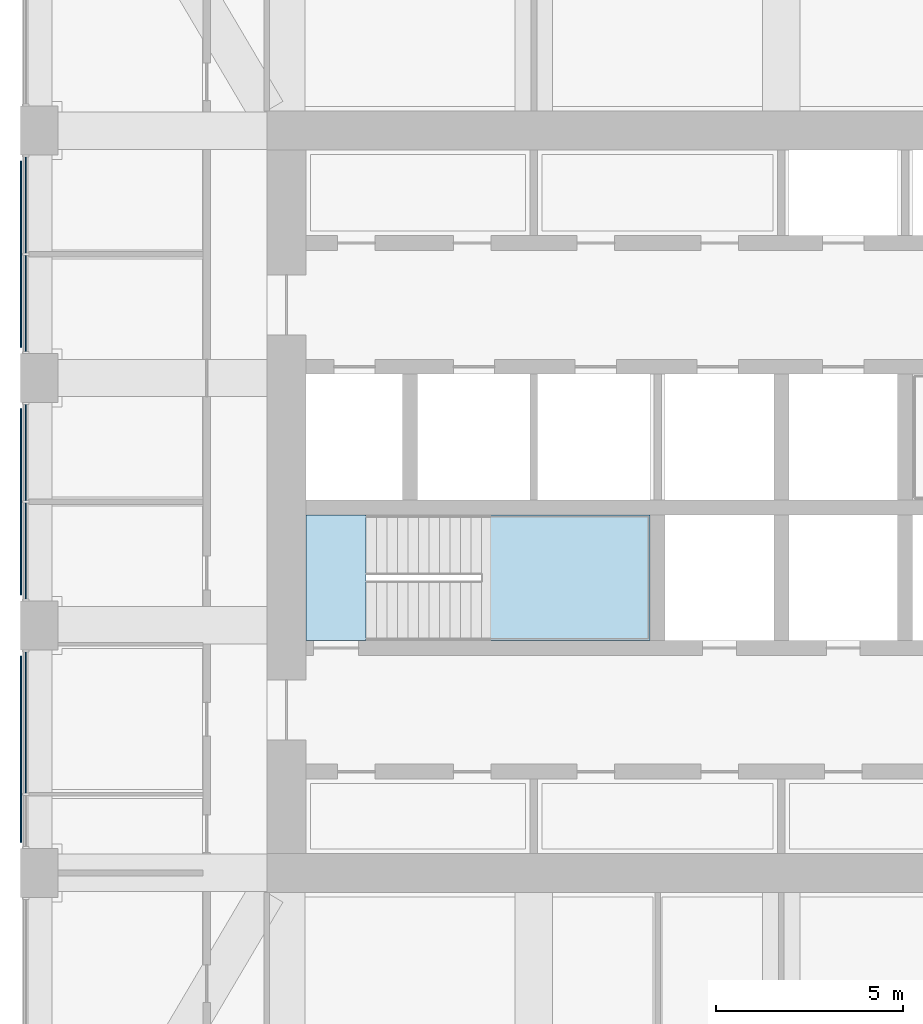
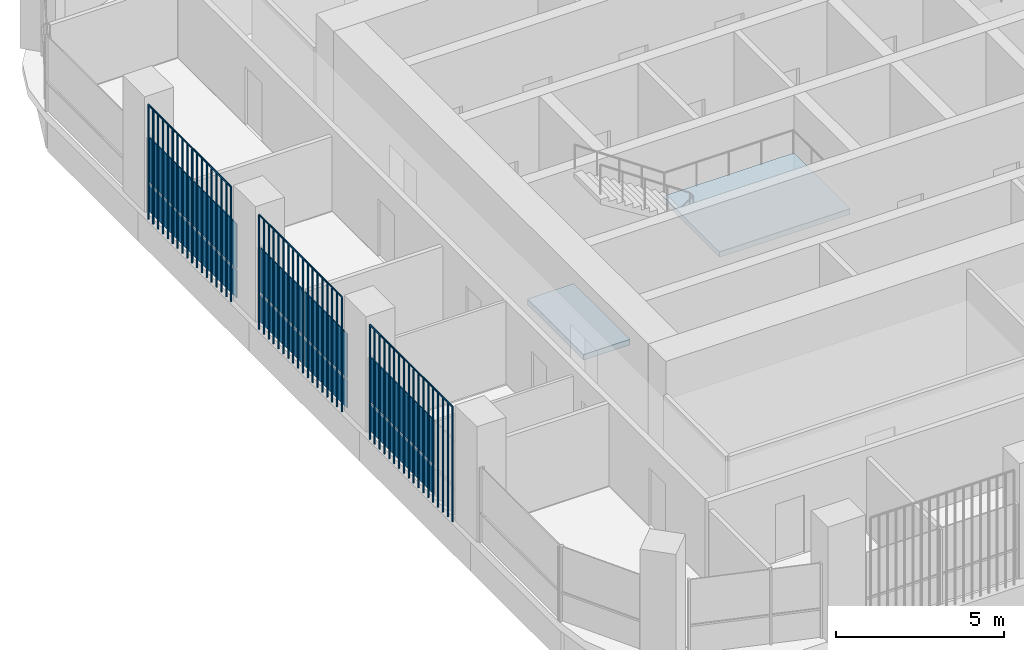
# One storey, part 9 of 20: 13 plates, 2 slabs, 4 elements without a shape of their own.
"""IFC4 building model written with IfcOpenShell, lengths in metres."""

from ifc_helpers import new_model, si_unit, direction, frame, origin, origin_2d, place, context, subcontext, project, spatial, polyline, rectangle, outline, extrude, material, layer, layer_set, type_object, element, aggregate, save


model = new_model("IFC4")

# Units and contexts
model_context = context("Model", 3, precision=1e-05, world=origin(), true_north=direction((0.0, 1.0)))
body_context = subcontext(model_context, "Body", "Model", "MODEL_VIEW")
ifc_project = project(units=[si_unit("LENGTHUNIT", "METRE"), si_unit("AREAUNIT", "SQUARE_METRE"), si_unit("VOLUMEUNIT", "CUBIC_METRE"), si_unit("PLANEANGLEUNIT", "RADIAN"), si_unit("MASSUNIT", "GRAM", prefix="KILO")], contexts=[model_context])

# Site, building, storey
site_placement = place(None, origin())
site = spatial("IfcSite", under=ifc_project, at=site_placement, CompositionType="ELEMENT")
building_placement = place(site_placement, origin())
building = spatial("IfcBuilding", under=site, at=building_placement, Name="Cobogo Forest Laboratory Tower", CompositionType="ELEMENT")
storey_placement = place(building_placement, frame((0.0, 0.0, 233.39990234375)))
storey = spatial("IfcBuildingStorey", under=building, at=storey_placement, Name="L53", CompositionType="ELEMENT", Elevation=233.39990234375)

# Curtain wall, plates
ifc_material_1 = material(Name="Aluminium curtain wall", Category="aluminium")
curtain_wall_type = type_object("IfcCurtainWallType", Name="CW-2 unitised curtain wall, solar control glazing, laboratory floors zones C and D", PredefinedType="USERDEFINED", material=ifc_material_1)
curtain_wall_1_placement = place(storey_placement, origin())
curtain_wall_1 = element("IfcCurtainWall", 1, at=curtain_wall_1_placement, inside=storey, type_object=curtain_wall_type, Name="Curtain wall 21 L53", ObjectType="UNITISED CURTAIN WALL", PredefinedType="USERDEFINED")
ifc_material_2 = material(Name="Solar control insulated glass", Category="glass")
ifc_layer_1 = layer(ifc_material_2, 0.031982421875)
ifc_layer_set_1 = layer_set([ifc_layer_1], Name="GP-2 solar control glass unit 32")
plate_type_1 = type_object("IfcPlateType", Name="GP-2 solar control glass unit 32", PredefinedType="CURTAIN_PANEL", material=ifc_layer_set_1)
plate_1_placement = place(storey_placement, frame((6.25, 31.010009765625, 0.0), z_axis=(0.0, 0.0, 1.0), x_axis=(0.0, -1.0, 0.0)))
plate_1 = element("IfcPlate", 2, at=plate_1_placement, type_object=plate_type_1, Name="CW-2 panel 1.1", PredefinedType="CURTAIN_PANEL", context=body_context, shape_type="SweptSolid", body=[
    extrude(rectangle(XDim=2.56005859375, YDim=0.031982421875, at=origin_2d()), origin(), (0.0, 0.0, 1.0), 1.02001953125),
])
plate_2_placement = place(storey_placement, frame((6.25, 31.010009765625, 1.080078125), z_axis=(0.0, 0.0, 1.0), x_axis=(0.0, -1.0, 0.0)))
plate_2 = element("IfcPlate", 3, at=plate_2_placement, type_object=plate_type_1, Name="CW-2 panel 1.2", PredefinedType="CURTAIN_PANEL", context=body_context, shape_type="SweptSolid", body=[
    extrude(rectangle(XDim=2.56005859375, YDim=0.031982421875, at=origin_2d()), origin(), (0.0, 0.0, 1.0), 1.6201171875),
])
plate_3_placement = place(storey_placement, frame((6.25, 28.389892578125, 0.0), z_axis=(0.0, 0.0, 1.0), x_axis=(0.0, -1.0, 0.0)))
plate_3 = element("IfcPlate", 4, at=plate_3_placement, type_object=plate_type_1, Name="CW-2 panel 2.1", PredefinedType="CURTAIN_PANEL", context=body_context, shape_type="SweptSolid", body=[
    extrude(rectangle(XDim=2.56005859375, YDim=0.031982421875, at=origin_2d()), origin(), (0.0, 0.0, 1.0), 1.02001953125),
])
plate_4_placement = place(storey_placement, frame((6.25, 28.389892578125, 1.080078125), z_axis=(0.0, 0.0, 1.0), x_axis=(0.0, -1.0, 0.0)))
plate_4 = element("IfcPlate", 5, at=plate_4_placement, type_object=plate_type_1, Name="CW-2 panel 2.2", PredefinedType="CURTAIN_PANEL", context=body_context, shape_type="SweptSolid", body=[
    extrude(rectangle(XDim=2.56005859375, YDim=0.031982421875, at=origin_2d()), origin(), (0.0, 0.0, 1.0), 1.6201171875),
])
aggregate(curtain_wall_1, [plate_1, plate_2, plate_3, plate_4])

curtain_wall_2_placement = place(storey_placement, origin())
curtain_wall_2 = element("IfcCurtainWall", 6, at=curtain_wall_2_placement, inside=storey, type_object=curtain_wall_type, Name="Curtain wall 22 L53", ObjectType="UNITISED CURTAIN WALL", PredefinedType="USERDEFINED")
plate_5_placement = place(storey_placement, frame((6.25, 24.409912109375, 0.0), z_axis=(0.0, 0.0, 1.0), x_axis=(0.0, -1.0, 0.0)))
plate_5 = element("IfcPlate", 7, at=plate_5_placement, type_object=plate_type_1, Name="CW-2 panel 1.1", PredefinedType="CURTAIN_PANEL", context=body_context, shape_type="SweptSolid", body=[
    extrude(rectangle(XDim=2.56005859375, YDim=0.031982421875, at=origin_2d()), origin(), (0.0, 0.0, 1.0), 1.02001953125),
])
plate_6_placement = place(storey_placement, frame((6.25, 24.409912109375, 1.080078125), z_axis=(0.0, 0.0, 1.0), x_axis=(0.0, -1.0, 0.0)))
plate_6 = element("IfcPlate", 8, at=plate_6_placement, type_object=plate_type_1, Name="CW-2 panel 1.2", PredefinedType="CURTAIN_PANEL", context=body_context, shape_type="SweptSolid", body=[
    extrude(rectangle(XDim=2.56005859375, YDim=0.031982421875, at=origin_2d()), origin(), (0.0, 0.0, 1.0), 1.6201171875),
])
plate_7_placement = place(storey_placement, frame((6.25, 21.7900390625, 0.0), z_axis=(0.0, 0.0, 1.0), x_axis=(0.0, -1.0, 0.0)))
plate_7 = element("IfcPlate", 9, at=plate_7_placement, type_object=plate_type_1, Name="CW-2 panel 2.1", PredefinedType="CURTAIN_PANEL", context=body_context, shape_type="SweptSolid", body=[
    extrude(rectangle(XDim=2.56005859375, YDim=0.031982421875, at=origin_2d()), origin(), (0.0, 0.0, 1.0), 1.02001953125),
])
plate_8_placement = place(storey_placement, frame((6.25, 21.7900390625, 1.080078125), z_axis=(0.0, 0.0, 1.0), x_axis=(0.0, -1.0, 0.0)))
plate_8 = element("IfcPlate", 10, at=plate_8_placement, type_object=plate_type_1, Name="CW-2 panel 2.2", PredefinedType="CURTAIN_PANEL", context=body_context, shape_type="SweptSolid", body=[
    extrude(rectangle(XDim=2.56005859375, YDim=0.031982421875, at=origin_2d()), origin(), (0.0, 0.0, 1.0), 1.6201171875),
])
aggregate(curtain_wall_2, [plate_5, plate_6, plate_7, plate_8])

curtain_wall_3_placement = place(storey_placement, origin())
curtain_wall_3 = element("IfcCurtainWall", 11, at=curtain_wall_3_placement, inside=storey, type_object=curtain_wall_type, Name="Curtain wall 23 L53", ObjectType="UNITISED CURTAIN WALL", PredefinedType="USERDEFINED")
plate_9_placement = place(storey_placement, frame((6.25, 17.2099609375, 0.0), z_axis=(0.0, 0.0, 1.0), x_axis=(0.0, -1.0, 0.0)))
plate_9 = element("IfcPlate", 12, at=plate_9_placement, type_object=plate_type_1, Name="CW-2 panel 1.1", PredefinedType="CURTAIN_PANEL", context=body_context, shape_type="SweptSolid", body=[
    extrude(rectangle(XDim=3.760009765625, YDim=0.031982421875, at=origin_2d()), origin(), (0.0, 0.0, 1.0), 1.02001953125),
])
plate_10_placement = place(storey_placement, frame((6.25, 17.2099609375, 1.080078125), z_axis=(0.0, 0.0, 1.0), x_axis=(0.0, -1.0, 0.0)))
plate_10 = element("IfcPlate", 13, at=plate_10_placement, type_object=plate_type_1, Name="CW-2 panel 1.2", PredefinedType="CURTAIN_PANEL", context=body_context, shape_type="SweptSolid", body=[
    extrude(rectangle(XDim=3.760009765625, YDim=0.031982421875, at=origin_2d()), origin(), (0.0, 0.0, 1.0), 1.6201171875),
])
aggregate(curtain_wall_3, [plate_9, plate_10])

# Stair, slabs
ifc_material_3 = material(Name="Precast concrete HA-40 (C40/50)", Category="concrete")
stair_type = type_object("IfcStairType", Name="ST24 exit stair 24 risers", PredefinedType="HALF_TURN_STAIR", material=ifc_material_3)
stair_placement = place(storey_placement, origin())
stair = element("IfcStair", 14, at=stair_placement, inside=storey, type_object=stair_type, Name="Stair 1 L53 to L54", PredefinedType="HALF_TURN_STAIR")
ifc_material_4 = material(Name="Concrete HA-40 (C40/50)", Category="concrete")
ifc_layer_2 = layer(ifc_material_4, 0.199951171875)
ifc_layer_set_2 = layer_set([ifc_layer_2], Name="SL stair landing 200")
slab_type = type_object("IfcSlabType", Name="SL stair landing 200", PredefinedType="LANDING", material=ifc_layer_set_2)
slab_1_placement = place(storey_placement, frame((0.0, 0.0, -0.199951171875)))
slab_1 = element("IfcSlab", 15, at=slab_1_placement, type_object=slab_type, Name="ST1 landing 1", PredefinedType="LANDING", context=body_context, shape_type="SweptSolid", body=[
    extrude(outline(polyline([(13.72509765625, 19.39990234375), (15.326904296875, 19.39990234375), (15.326904296875, 22.75), (13.72509765625, 22.75), (13.72509765625, 19.39990234375)])), origin(), (0.0, 0.0, 1.0), 0.199951171875),
])
slab_2_placement = place(storey_placement, frame((0.0, 0.0, 1.900146484375)))
slab_2 = element("IfcSlab", 16, at=slab_2_placement, type_object=slab_type, Name="ST1 landing 2", PredefinedType="LANDING", context=body_context, shape_type="SweptSolid", body=[
    extrude(outline(polyline([(18.403076171875, 19.39990234375), (22.89990234375, 19.39990234375), (22.89990234375, 22.75), (18.403076171875, 22.75), (18.403076171875, 19.39990234375)])), origin(), (0.0, 0.0, 1.0), 0.199951171875),
])
aggregate(stair, [slab_1, slab_2])

# Plates
ifc_material_5 = material(Name="Terracotta", Category="masonry")
plate_type_2 = type_object("IfcPlateType", Name="TB1 terracotta baguette screen", PredefinedType="USERDEFINED", material=ifc_material_5)
plate_11_placement = place(storey_placement, frame((6.1220703125, 14.03125, -0.14990234375)))
element("IfcPlate", 17, at=plate_11_placement, inside=storey, type_object=plate_type_2, Name="Baguette screen W1 L53", ObjectType="BAGUETTE SCREEN", PredefinedType="USERDEFINED", context=body_context, shape_type="SweptSolid", body=[
    extrude(outline(polyline([(0.02880859375, 0.011962890625), (0.011962890625, 0.02880859375), (-0.011962890625, 0.02880859375), (-0.02880859375, 0.011962890625), (-0.02880859375, -0.011962890625), (-0.011962890625, -0.02880859375), (0.011962890625, -0.02880859375), (0.02880859375, -0.011962890625), (0.02880859375, 0.011962890625)])), frame((0.0, 0.0, 4.168701171875), z_axis=(0.0, 1.0, 0.0), x_axis=(-1.0, 0.0, 0.0)), (0.0, 0.0, 1.0), 4.9375),
    extrude(outline(polyline([(0.02880859375, 0.011962890625), (0.011962890625, 0.02880859375), (-0.011962890625, 0.02880859375), (-0.02880859375, 0.011962890625), (-0.02880859375, -0.011962890625), (-0.011962890625, -0.02880859375), (0.011962890625, -0.02880859375), (0.02880859375, -0.011962890625), (0.02880859375, 0.011962890625)])), origin(), (0.0, 0.0, 1.0), 4.137451171875),
    extrude(outline(polyline([(0.02880859375, 0.011962890625), (0.011962890625, 0.02880859375), (-0.011962890625, 0.02880859375), (-0.02880859375, 0.011962890625), (-0.02880859375, -0.011962890625), (-0.011962890625, -0.02880859375), (0.011962890625, -0.02880859375), (0.02880859375, -0.011962890625), (0.02880859375, 0.011962890625)])), frame((0.0, 0.29052734375, 0.0)), (0.0, 0.0, 1.0), 4.137451171875),
    extrude(outline(polyline([(0.02880859375, 0.011962890625), (0.011962890625, 0.02880859375), (-0.011962890625, 0.02880859375), (-0.02880859375, 0.011962890625), (-0.02880859375, -0.011962890625), (-0.011962890625, -0.02880859375), (0.011962890625, -0.02880859375), (0.02880859375, -0.011962890625), (0.02880859375, 0.011962890625)])), frame((0.0, 0.580810546875, 0.0)), (0.0, 0.0, 1.0), 4.137451171875),
    extrude(outline(polyline([(0.02880859375, 0.011962890625), (0.011962890625, 0.02880859375), (-0.011962890625, 0.02880859375), (-0.02880859375, 0.011962890625), (-0.02880859375, -0.011962890625), (-0.011962890625, -0.02880859375), (0.011962890625, -0.02880859375), (0.02880859375, -0.011962890625), (0.02880859375, 0.011962890625)])), frame((0.0, 0.871337890625, 0.0)), (0.0, 0.0, 1.0), 4.137451171875),
    extrude(outline(polyline([(0.02880859375, 0.011962890625), (0.011962890625, 0.02880859375), (-0.011962890625, 0.02880859375), (-0.02880859375, 0.011962890625), (-0.02880859375, -0.011962890625), (-0.011962890625, -0.02880859375), (0.011962890625, -0.02880859375), (0.02880859375, -0.011962890625), (0.02880859375, 0.011962890625)])), frame((0.0, 1.161865234375, 0.0)), (0.0, 0.0, 1.0), 4.137451171875),
    extrude(outline(polyline([(0.02880859375, 0.011962890625), (0.011962890625, 0.02880859375), (-0.011962890625, 0.02880859375), (-0.02880859375, 0.011962890625), (-0.02880859375, -0.011962890625), (-0.011962890625, -0.02880859375), (0.011962890625, -0.02880859375), (0.02880859375, -0.011962890625), (0.02880859375, 0.011962890625)])), frame((0.0, 1.4521484375, 0.0)), (0.0, 0.0, 1.0), 4.137451171875),
    extrude(outline(polyline([(0.02880859375, 0.011962890625), (0.011962890625, 0.02880859375), (-0.011962890625, 0.02880859375), (-0.02880859375, 0.011962890625), (-0.02880859375, -0.011962890625), (-0.011962890625, -0.02880859375), (0.011962890625, -0.02880859375), (0.02880859375, -0.011962890625), (0.02880859375, 0.011962890625)])), frame((0.0, 1.74267578125, 0.0)), (0.0, 0.0, 1.0), 4.137451171875),
    extrude(outline(polyline([(0.02880859375, 0.011962890625), (0.011962890625, 0.02880859375), (-0.011962890625, 0.02880859375), (-0.02880859375, 0.011962890625), (-0.02880859375, -0.011962890625), (-0.011962890625, -0.02880859375), (0.011962890625, -0.02880859375), (0.02880859375, -0.011962890625), (0.02880859375, 0.011962890625)])), frame((0.0, 2.033203125, 0.0)), (0.0, 0.0, 1.0), 4.137451171875),
    extrude(outline(polyline([(0.02880859375, 0.011962890625), (0.011962890625, 0.02880859375), (-0.011962890625, 0.02880859375), (-0.02880859375, 0.011962890625), (-0.02880859375, -0.011962890625), (-0.011962890625, -0.02880859375), (0.011962890625, -0.02880859375), (0.02880859375, -0.011962890625), (0.02880859375, 0.011962890625)])), frame((0.0, 2.323486328125, 0.0)), (0.0, 0.0, 1.0), 4.137451171875),
    extrude(outline(polyline([(0.02880859375, 0.011962890625), (0.011962890625, 0.02880859375), (-0.011962890625, 0.02880859375), (-0.02880859375, 0.011962890625), (-0.02880859375, -0.011962890625), (-0.011962890625, -0.02880859375), (0.011962890625, -0.02880859375), (0.02880859375, -0.011962890625), (0.02880859375, 0.011962890625)])), frame((0.0, 2.614013671875, 0.0)), (0.0, 0.0, 1.0), 4.137451171875),
    extrude(outline(polyline([(0.02880859375, 0.011962890625), (0.011962890625, 0.02880859375), (-0.011962890625, 0.02880859375), (-0.02880859375, 0.011962890625), (-0.02880859375, -0.011962890625), (-0.011962890625, -0.02880859375), (0.011962890625, -0.02880859375), (0.02880859375, -0.011962890625), (0.02880859375, 0.011962890625)])), frame((0.0, 2.904296875, 0.0)), (0.0, 0.0, 1.0), 4.137451171875),
    extrude(outline(polyline([(0.02880859375, 0.011962890625), (0.011962890625, 0.02880859375), (-0.011962890625, 0.02880859375), (-0.02880859375, 0.011962890625), (-0.02880859375, -0.011962890625), (-0.011962890625, -0.02880859375), (0.011962890625, -0.02880859375), (0.02880859375, -0.011962890625), (0.02880859375, 0.011962890625)])), frame((0.0, 3.19482421875, 0.0)), (0.0, 0.0, 1.0), 4.137451171875),
    extrude(outline(polyline([(0.02880859375, 0.011962890625), (0.011962890625, 0.02880859375), (-0.011962890625, 0.02880859375), (-0.02880859375, 0.011962890625), (-0.02880859375, -0.011962890625), (-0.011962890625, -0.02880859375), (0.011962890625, -0.02880859375), (0.02880859375, -0.011962890625), (0.02880859375, 0.011962890625)])), frame((0.0, 3.4853515625, 0.0)), (0.0, 0.0, 1.0), 4.137451171875),
    extrude(outline(polyline([(0.02880859375, 0.011962890625), (0.011962890625, 0.02880859375), (-0.011962890625, 0.02880859375), (-0.02880859375, 0.011962890625), (-0.02880859375, -0.011962890625), (-0.011962890625, -0.02880859375), (0.011962890625, -0.02880859375), (0.02880859375, -0.011962890625), (0.02880859375, 0.011962890625)])), frame((0.0, 3.775634765625, 0.0)), (0.0, 0.0, 1.0), 4.137451171875),
    extrude(outline(polyline([(0.02880859375, 0.011962890625), (0.011962890625, 0.02880859375), (-0.011962890625, 0.02880859375), (-0.02880859375, 0.011962890625), (-0.02880859375, -0.011962890625), (-0.011962890625, -0.02880859375), (0.011962890625, -0.02880859375), (0.02880859375, -0.011962890625), (0.02880859375, 0.011962890625)])), frame((0.0, 4.066162109375, 0.0)), (0.0, 0.0, 1.0), 4.137451171875),
    extrude(outline(polyline([(0.02880859375, 0.011962890625), (0.011962890625, 0.02880859375), (-0.011962890625, 0.02880859375), (-0.02880859375, 0.011962890625), (-0.02880859375, -0.011962890625), (-0.011962890625, -0.02880859375), (0.011962890625, -0.02880859375), (0.02880859375, -0.011962890625), (0.02880859375, 0.011962890625)])), frame((0.0, 4.356689453125, 0.0)), (0.0, 0.0, 1.0), 4.137451171875),
    extrude(outline(polyline([(0.02880859375, 0.011962890625), (0.011962890625, 0.02880859375), (-0.011962890625, 0.02880859375), (-0.02880859375, 0.011962890625), (-0.02880859375, -0.011962890625), (-0.011962890625, -0.02880859375), (0.011962890625, -0.02880859375), (0.02880859375, -0.011962890625), (0.02880859375, 0.011962890625)])), frame((0.0, 4.64697265625, 0.0)), (0.0, 0.0, 1.0), 4.137451171875),
    extrude(outline(polyline([(0.02880859375, 0.011962890625), (0.011962890625, 0.02880859375), (-0.011962890625, 0.02880859375), (-0.02880859375, 0.011962890625), (-0.02880859375, -0.011962890625), (-0.011962890625, -0.02880859375), (0.011962890625, -0.02880859375), (0.02880859375, -0.011962890625), (0.02880859375, 0.011962890625)])), frame((0.0, 4.9375, 0.0)), (0.0, 0.0, 1.0), 4.137451171875),
])
plate_12_placement = place(storey_placement, frame((6.1220703125, 20.63134765625, -0.14990234375)))
element("IfcPlate", 18, at=plate_12_placement, inside=storey, type_object=plate_type_2, Name="Baguette screen W2 L53", ObjectType="BAGUETTE SCREEN", PredefinedType="USERDEFINED", context=body_context, shape_type="SweptSolid", body=[
    extrude(outline(polyline([(0.02880859375, 0.011962890625), (0.011962890625, 0.02880859375), (-0.011962890625, 0.02880859375), (-0.02880859375, 0.011962890625), (-0.02880859375, -0.011962890625), (-0.011962890625, -0.02880859375), (0.011962890625, -0.02880859375), (0.02880859375, -0.011962890625), (0.02880859375, 0.011962890625)])), frame((0.0, 0.0, 4.168701171875), z_axis=(0.0, 1.0, 0.0), x_axis=(-1.0, 0.0, 0.0)), (0.0, 0.0, 1.0), 4.9375),
    extrude(outline(polyline([(0.02880859375, 0.011962890625), (0.011962890625, 0.02880859375), (-0.011962890625, 0.02880859375), (-0.02880859375, 0.011962890625), (-0.02880859375, -0.011962890625), (-0.011962890625, -0.02880859375), (0.011962890625, -0.02880859375), (0.02880859375, -0.011962890625), (0.02880859375, 0.011962890625)])), origin(), (0.0, 0.0, 1.0), 4.137451171875),
    extrude(outline(polyline([(0.02880859375, 0.011962890625), (0.011962890625, 0.02880859375), (-0.011962890625, 0.02880859375), (-0.02880859375, 0.011962890625), (-0.02880859375, -0.011962890625), (-0.011962890625, -0.02880859375), (0.011962890625, -0.02880859375), (0.02880859375, -0.011962890625), (0.02880859375, 0.011962890625)])), frame((0.0, 0.29052734375, 0.0)), (0.0, 0.0, 1.0), 4.137451171875),
    extrude(outline(polyline([(0.02880859375, 0.011962890625), (0.011962890625, 0.02880859375), (-0.011962890625, 0.02880859375), (-0.02880859375, 0.011962890625), (-0.02880859375, -0.011962890625), (-0.011962890625, -0.02880859375), (0.011962890625, -0.02880859375), (0.02880859375, -0.011962890625), (0.02880859375, 0.011962890625)])), frame((0.0, 0.580810546875, 0.0)), (0.0, 0.0, 1.0), 4.137451171875),
    extrude(outline(polyline([(0.02880859375, 0.011962890625), (0.011962890625, 0.02880859375), (-0.011962890625, 0.02880859375), (-0.02880859375, 0.011962890625), (-0.02880859375, -0.011962890625), (-0.011962890625, -0.02880859375), (0.011962890625, -0.02880859375), (0.02880859375, -0.011962890625), (0.02880859375, 0.011962890625)])), frame((0.0, 0.871337890625, 0.0)), (0.0, 0.0, 1.0), 4.137451171875),
    extrude(outline(polyline([(0.02880859375, 0.011962890625), (0.011962890625, 0.02880859375), (-0.011962890625, 0.02880859375), (-0.02880859375, 0.011962890625), (-0.02880859375, -0.011962890625), (-0.011962890625, -0.02880859375), (0.011962890625, -0.02880859375), (0.02880859375, -0.011962890625), (0.02880859375, 0.011962890625)])), frame((0.0, 1.161865234375, 0.0)), (0.0, 0.0, 1.0), 4.137451171875),
    extrude(outline(polyline([(0.02880859375, 0.011962890625), (0.011962890625, 0.02880859375), (-0.011962890625, 0.02880859375), (-0.02880859375, 0.011962890625), (-0.02880859375, -0.011962890625), (-0.011962890625, -0.02880859375), (0.011962890625, -0.02880859375), (0.02880859375, -0.011962890625), (0.02880859375, 0.011962890625)])), frame((0.0, 1.4521484375, 0.0)), (0.0, 0.0, 1.0), 4.137451171875),
    extrude(outline(polyline([(0.02880859375, 0.011962890625), (0.011962890625, 0.02880859375), (-0.011962890625, 0.02880859375), (-0.02880859375, 0.011962890625), (-0.02880859375, -0.011962890625), (-0.011962890625, -0.02880859375), (0.011962890625, -0.02880859375), (0.02880859375, -0.011962890625), (0.02880859375, 0.011962890625)])), frame((0.0, 1.74267578125, 0.0)), (0.0, 0.0, 1.0), 4.137451171875),
    extrude(outline(polyline([(0.02880859375, 0.011962890625), (0.011962890625, 0.02880859375), (-0.011962890625, 0.02880859375), (-0.02880859375, 0.011962890625), (-0.02880859375, -0.011962890625), (-0.011962890625, -0.02880859375), (0.011962890625, -0.02880859375), (0.02880859375, -0.011962890625), (0.02880859375, 0.011962890625)])), frame((0.0, 2.033203125, 0.0)), (0.0, 0.0, 1.0), 4.137451171875),
    extrude(outline(polyline([(0.02880859375, 0.011962890625), (0.011962890625, 0.02880859375), (-0.011962890625, 0.02880859375), (-0.02880859375, 0.011962890625), (-0.02880859375, -0.011962890625), (-0.011962890625, -0.02880859375), (0.011962890625, -0.02880859375), (0.02880859375, -0.011962890625), (0.02880859375, 0.011962890625)])), frame((0.0, 2.323486328125, 0.0)), (0.0, 0.0, 1.0), 4.137451171875),
    extrude(outline(polyline([(0.02880859375, 0.011962890625), (0.011962890625, 0.02880859375), (-0.011962890625, 0.02880859375), (-0.02880859375, 0.011962890625), (-0.02880859375, -0.011962890625), (-0.011962890625, -0.02880859375), (0.011962890625, -0.02880859375), (0.02880859375, -0.011962890625), (0.02880859375, 0.011962890625)])), frame((0.0, 2.614013671875, 0.0)), (0.0, 0.0, 1.0), 4.137451171875),
    extrude(outline(polyline([(0.02880859375, 0.011962890625), (0.011962890625, 0.02880859375), (-0.011962890625, 0.02880859375), (-0.02880859375, 0.011962890625), (-0.02880859375, -0.011962890625), (-0.011962890625, -0.02880859375), (0.011962890625, -0.02880859375), (0.02880859375, -0.011962890625), (0.02880859375, 0.011962890625)])), frame((0.0, 2.904296875, 0.0)), (0.0, 0.0, 1.0), 4.137451171875),
    extrude(outline(polyline([(0.02880859375, 0.011962890625), (0.011962890625, 0.02880859375), (-0.011962890625, 0.02880859375), (-0.02880859375, 0.011962890625), (-0.02880859375, -0.011962890625), (-0.011962890625, -0.02880859375), (0.011962890625, -0.02880859375), (0.02880859375, -0.011962890625), (0.02880859375, 0.011962890625)])), frame((0.0, 3.19482421875, 0.0)), (0.0, 0.0, 1.0), 4.137451171875),
    extrude(outline(polyline([(0.02880859375, 0.011962890625), (0.011962890625, 0.02880859375), (-0.011962890625, 0.02880859375), (-0.02880859375, 0.011962890625), (-0.02880859375, -0.011962890625), (-0.011962890625, -0.02880859375), (0.011962890625, -0.02880859375), (0.02880859375, -0.011962890625), (0.02880859375, 0.011962890625)])), frame((0.0, 3.4853515625, 0.0)), (0.0, 0.0, 1.0), 4.137451171875),
    extrude(outline(polyline([(0.02880859375, 0.011962890625), (0.011962890625, 0.02880859375), (-0.011962890625, 0.02880859375), (-0.02880859375, 0.011962890625), (-0.02880859375, -0.011962890625), (-0.011962890625, -0.02880859375), (0.011962890625, -0.02880859375), (0.02880859375, -0.011962890625), (0.02880859375, 0.011962890625)])), frame((0.0, 3.775634765625, 0.0)), (0.0, 0.0, 1.0), 4.137451171875),
    extrude(outline(polyline([(0.02880859375, 0.011962890625), (0.011962890625, 0.02880859375), (-0.011962890625, 0.02880859375), (-0.02880859375, 0.011962890625), (-0.02880859375, -0.011962890625), (-0.011962890625, -0.02880859375), (0.011962890625, -0.02880859375), (0.02880859375, -0.011962890625), (0.02880859375, 0.011962890625)])), frame((0.0, 4.066162109375, 0.0)), (0.0, 0.0, 1.0), 4.137451171875),
    extrude(outline(polyline([(0.02880859375, 0.011962890625), (0.011962890625, 0.02880859375), (-0.011962890625, 0.02880859375), (-0.02880859375, 0.011962890625), (-0.02880859375, -0.011962890625), (-0.011962890625, -0.02880859375), (0.011962890625, -0.02880859375), (0.02880859375, -0.011962890625), (0.02880859375, 0.011962890625)])), frame((0.0, 4.356689453125, 0.0)), (0.0, 0.0, 1.0), 4.137451171875),
    extrude(outline(polyline([(0.02880859375, 0.011962890625), (0.011962890625, 0.02880859375), (-0.011962890625, 0.02880859375), (-0.02880859375, 0.011962890625), (-0.02880859375, -0.011962890625), (-0.011962890625, -0.02880859375), (0.011962890625, -0.02880859375), (0.02880859375, -0.011962890625), (0.02880859375, 0.011962890625)])), frame((0.0, 4.64697265625, 0.0)), (0.0, 0.0, 1.0), 4.137451171875),
    extrude(outline(polyline([(0.02880859375, 0.011962890625), (0.011962890625, 0.02880859375), (-0.011962890625, 0.02880859375), (-0.02880859375, 0.011962890625), (-0.02880859375, -0.011962890625), (-0.011962890625, -0.02880859375), (0.011962890625, -0.02880859375), (0.02880859375, -0.011962890625), (0.02880859375, 0.011962890625)])), frame((0.0, 4.9375, 0.0)), (0.0, 0.0, 1.0), 4.137451171875),
])
plate_13_placement = place(storey_placement, frame((6.1220703125, 27.231201171875, -0.14990234375)))
element("IfcPlate", 19, at=plate_13_placement, inside=storey, type_object=plate_type_2, Name="Baguette screen W3 L53", ObjectType="BAGUETTE SCREEN", PredefinedType="USERDEFINED", context=body_context, shape_type="SweptSolid", body=[
    extrude(outline(polyline([(0.02880859375, 0.011962890625), (0.011962890625, 0.02880859375), (-0.011962890625, 0.02880859375), (-0.02880859375, 0.011962890625), (-0.02880859375, -0.011962890625), (-0.011962890625, -0.02880859375), (0.011962890625, -0.02880859375), (0.02880859375, -0.011962890625), (0.02880859375, 0.011962890625)])), frame((0.0, 0.0, 4.168701171875), z_axis=(0.0, 1.0, 0.0), x_axis=(-1.0, 0.0, 0.0)), (0.0, 0.0, 1.0), 4.9375),
    extrude(outline(polyline([(0.02880859375, 0.011962890625), (0.011962890625, 0.02880859375), (-0.011962890625, 0.02880859375), (-0.02880859375, 0.011962890625), (-0.02880859375, -0.011962890625), (-0.011962890625, -0.02880859375), (0.011962890625, -0.02880859375), (0.02880859375, -0.011962890625), (0.02880859375, 0.011962890625)])), origin(), (0.0, 0.0, 1.0), 4.137451171875),
    extrude(outline(polyline([(0.02880859375, 0.011962890625), (0.011962890625, 0.02880859375), (-0.011962890625, 0.02880859375), (-0.02880859375, 0.011962890625), (-0.02880859375, -0.011962890625), (-0.011962890625, -0.02880859375), (0.011962890625, -0.02880859375), (0.02880859375, -0.011962890625), (0.02880859375, 0.011962890625)])), frame((0.0, 0.29052734375, 0.0)), (0.0, 0.0, 1.0), 4.137451171875),
    extrude(outline(polyline([(0.02880859375, 0.011962890625), (0.011962890625, 0.02880859375), (-0.011962890625, 0.02880859375), (-0.02880859375, 0.011962890625), (-0.02880859375, -0.011962890625), (-0.011962890625, -0.02880859375), (0.011962890625, -0.02880859375), (0.02880859375, -0.011962890625), (0.02880859375, 0.011962890625)])), frame((0.0, 0.580810546875, 0.0)), (0.0, 0.0, 1.0), 4.137451171875),
    extrude(outline(polyline([(0.02880859375, 0.011962890625), (0.011962890625, 0.02880859375), (-0.011962890625, 0.02880859375), (-0.02880859375, 0.011962890625), (-0.02880859375, -0.011962890625), (-0.011962890625, -0.02880859375), (0.011962890625, -0.02880859375), (0.02880859375, -0.011962890625), (0.02880859375, 0.011962890625)])), frame((0.0, 0.871337890625, 0.0)), (0.0, 0.0, 1.0), 4.137451171875),
    extrude(outline(polyline([(0.02880859375, 0.011962890625), (0.011962890625, 0.02880859375), (-0.011962890625, 0.02880859375), (-0.02880859375, 0.011962890625), (-0.02880859375, -0.011962890625), (-0.011962890625, -0.02880859375), (0.011962890625, -0.02880859375), (0.02880859375, -0.011962890625), (0.02880859375, 0.011962890625)])), frame((0.0, 1.161865234375, 0.0)), (0.0, 0.0, 1.0), 4.137451171875),
    extrude(outline(polyline([(0.02880859375, 0.011962890625), (0.011962890625, 0.02880859375), (-0.011962890625, 0.02880859375), (-0.02880859375, 0.011962890625), (-0.02880859375, -0.011962890625), (-0.011962890625, -0.02880859375), (0.011962890625, -0.02880859375), (0.02880859375, -0.011962890625), (0.02880859375, 0.011962890625)])), frame((0.0, 1.4521484375, 0.0)), (0.0, 0.0, 1.0), 4.137451171875),
    extrude(outline(polyline([(0.02880859375, 0.011962890625), (0.011962890625, 0.02880859375), (-0.011962890625, 0.02880859375), (-0.02880859375, 0.011962890625), (-0.02880859375, -0.011962890625), (-0.011962890625, -0.02880859375), (0.011962890625, -0.02880859375), (0.02880859375, -0.011962890625), (0.02880859375, 0.011962890625)])), frame((0.0, 1.74267578125, 0.0)), (0.0, 0.0, 1.0), 4.137451171875),
    extrude(outline(polyline([(0.02880859375, 0.011962890625), (0.011962890625, 0.02880859375), (-0.011962890625, 0.02880859375), (-0.02880859375, 0.011962890625), (-0.02880859375, -0.011962890625), (-0.011962890625, -0.02880859375), (0.011962890625, -0.02880859375), (0.02880859375, -0.011962890625), (0.02880859375, 0.011962890625)])), frame((0.0, 2.033203125, 0.0)), (0.0, 0.0, 1.0), 4.137451171875),
    extrude(outline(polyline([(0.02880859375, 0.011962890625), (0.011962890625, 0.02880859375), (-0.011962890625, 0.02880859375), (-0.02880859375, 0.011962890625), (-0.02880859375, -0.011962890625), (-0.011962890625, -0.02880859375), (0.011962890625, -0.02880859375), (0.02880859375, -0.011962890625), (0.02880859375, 0.011962890625)])), frame((0.0, 2.323486328125, 0.0)), (0.0, 0.0, 1.0), 4.137451171875),
    extrude(outline(polyline([(0.02880859375, 0.011962890625), (0.011962890625, 0.02880859375), (-0.011962890625, 0.02880859375), (-0.02880859375, 0.011962890625), (-0.02880859375, -0.011962890625), (-0.011962890625, -0.02880859375), (0.011962890625, -0.02880859375), (0.02880859375, -0.011962890625), (0.02880859375, 0.011962890625)])), frame((0.0, 2.614013671875, 0.0)), (0.0, 0.0, 1.0), 4.137451171875),
    extrude(outline(polyline([(0.02880859375, 0.011962890625), (0.011962890625, 0.02880859375), (-0.011962890625, 0.02880859375), (-0.02880859375, 0.011962890625), (-0.02880859375, -0.011962890625), (-0.011962890625, -0.02880859375), (0.011962890625, -0.02880859375), (0.02880859375, -0.011962890625), (0.02880859375, 0.011962890625)])), frame((0.0, 2.904296875, 0.0)), (0.0, 0.0, 1.0), 4.137451171875),
    extrude(outline(polyline([(0.02880859375, 0.011962890625), (0.011962890625, 0.02880859375), (-0.011962890625, 0.02880859375), (-0.02880859375, 0.011962890625), (-0.02880859375, -0.011962890625), (-0.011962890625, -0.02880859375), (0.011962890625, -0.02880859375), (0.02880859375, -0.011962890625), (0.02880859375, 0.011962890625)])), frame((0.0, 3.19482421875, 0.0)), (0.0, 0.0, 1.0), 4.137451171875),
    extrude(outline(polyline([(0.02880859375, 0.011962890625), (0.011962890625, 0.02880859375), (-0.011962890625, 0.02880859375), (-0.02880859375, 0.011962890625), (-0.02880859375, -0.011962890625), (-0.011962890625, -0.02880859375), (0.011962890625, -0.02880859375), (0.02880859375, -0.011962890625), (0.02880859375, 0.011962890625)])), frame((0.0, 3.4853515625, 0.0)), (0.0, 0.0, 1.0), 4.137451171875),
    extrude(outline(polyline([(0.02880859375, 0.011962890625), (0.011962890625, 0.02880859375), (-0.011962890625, 0.02880859375), (-0.02880859375, 0.011962890625), (-0.02880859375, -0.011962890625), (-0.011962890625, -0.02880859375), (0.011962890625, -0.02880859375), (0.02880859375, -0.011962890625), (0.02880859375, 0.011962890625)])), frame((0.0, 3.775634765625, 0.0)), (0.0, 0.0, 1.0), 4.137451171875),
    extrude(outline(polyline([(0.02880859375, 0.011962890625), (0.011962890625, 0.02880859375), (-0.011962890625, 0.02880859375), (-0.02880859375, 0.011962890625), (-0.02880859375, -0.011962890625), (-0.011962890625, -0.02880859375), (0.011962890625, -0.02880859375), (0.02880859375, -0.011962890625), (0.02880859375, 0.011962890625)])), frame((0.0, 4.066162109375, 0.0)), (0.0, 0.0, 1.0), 4.137451171875),
    extrude(outline(polyline([(0.02880859375, 0.011962890625), (0.011962890625, 0.02880859375), (-0.011962890625, 0.02880859375), (-0.02880859375, 0.011962890625), (-0.02880859375, -0.011962890625), (-0.011962890625, -0.02880859375), (0.011962890625, -0.02880859375), (0.02880859375, -0.011962890625), (0.02880859375, 0.011962890625)])), frame((0.0, 4.356689453125, 0.0)), (0.0, 0.0, 1.0), 4.137451171875),
    extrude(outline(polyline([(0.02880859375, 0.011962890625), (0.011962890625, 0.02880859375), (-0.011962890625, 0.02880859375), (-0.02880859375, 0.011962890625), (-0.02880859375, -0.011962890625), (-0.011962890625, -0.02880859375), (0.011962890625, -0.02880859375), (0.02880859375, -0.011962890625), (0.02880859375, 0.011962890625)])), frame((0.0, 4.64697265625, 0.0)), (0.0, 0.0, 1.0), 4.137451171875),
    extrude(outline(polyline([(0.02880859375, 0.011962890625), (0.011962890625, 0.02880859375), (-0.011962890625, 0.02880859375), (-0.02880859375, 0.011962890625), (-0.02880859375, -0.011962890625), (-0.011962890625, -0.02880859375), (0.011962890625, -0.02880859375), (0.02880859375, -0.011962890625), (0.02880859375, 0.011962890625)])), frame((0.0, 4.9375, 0.0)), (0.0, 0.0, 1.0), 4.137451171875),
])

save(model, "model.ifc")
